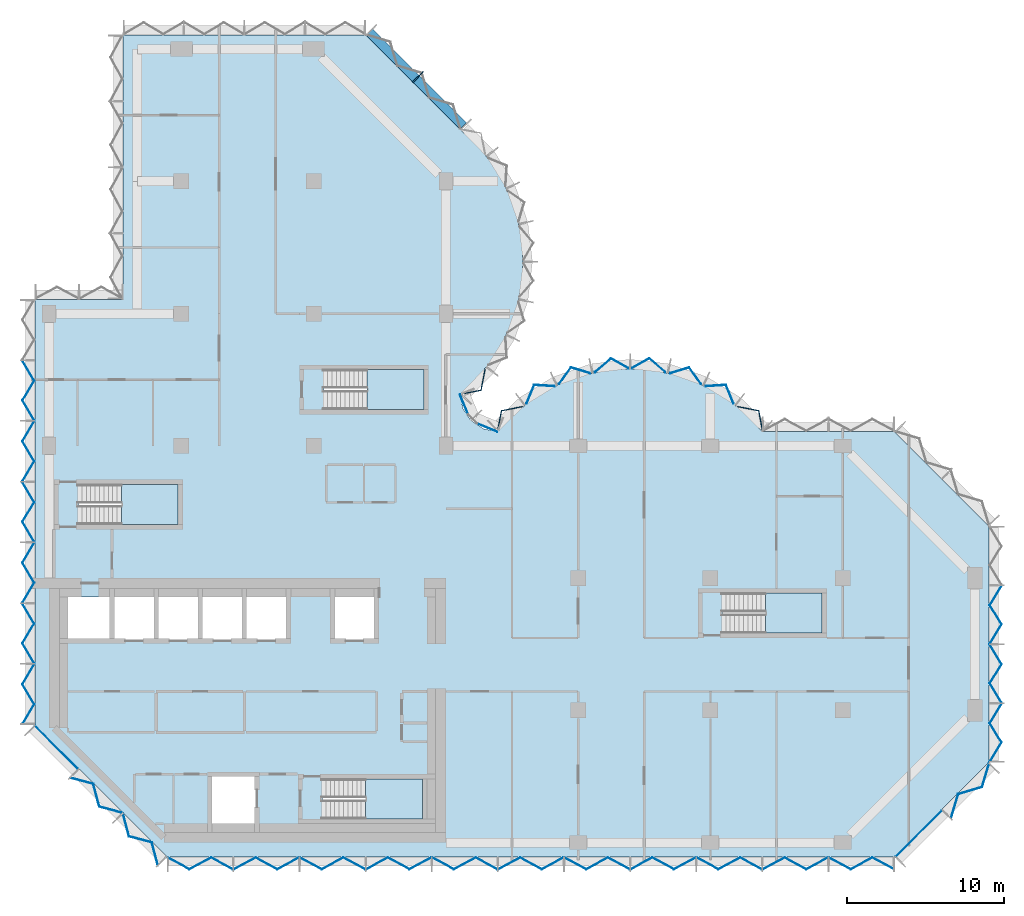
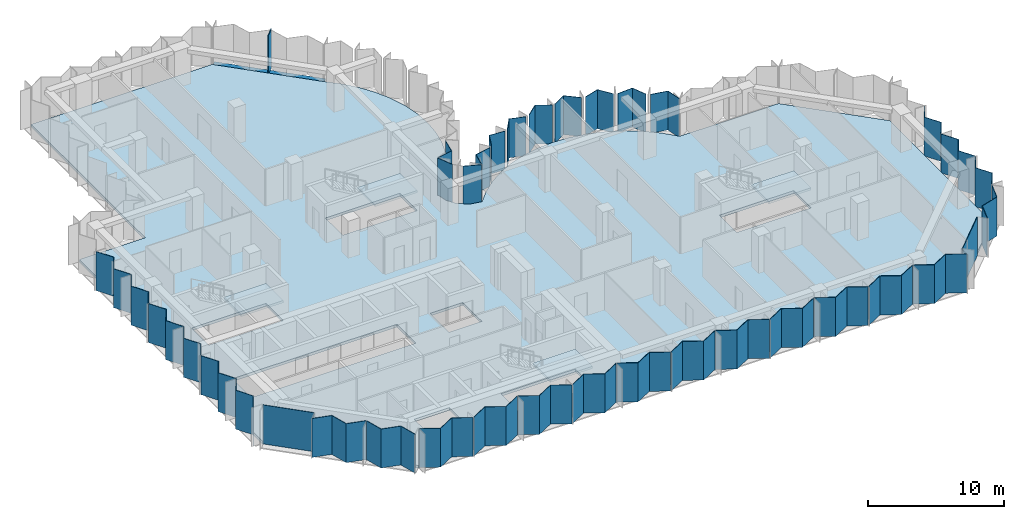
# One storey, part 3 of 10: 36 plates, 5 slabs, 2 members, 13 elements without a shape of their own.
"""IFC4 building model written with IfcOpenShell, lengths in metres."""

from ifc_helpers import new_model, si_unit, direction, frame, origin, origin_2d, place, context, subcontext, project, spatial, polyline, rectangle, outline, extrude, material, layer, layer_set, material_profile, profile_set, type_object, element, aggregate, save


model = new_model("IFC4")

# Units and contexts
model_context = context("Model", 3, precision=1e-05, world=origin(), true_north=direction((0.0, 1.0)))
body_context = subcontext(model_context, "Body", "Model", "MODEL_VIEW")
ifc_project = project(units=[si_unit("LENGTHUNIT", "METRE"), si_unit("AREAUNIT", "SQUARE_METRE"), si_unit("VOLUMEUNIT", "CUBIC_METRE"), si_unit("PLANEANGLEUNIT", "RADIAN"), si_unit("MASSUNIT", "GRAM", prefix="KILO")], contexts=[model_context])

# Site, building, storey
site_placement = place(None, origin())
site = spatial("IfcSite", under=ifc_project, at=site_placement, CompositionType="ELEMENT")
building_placement = place(site_placement, origin())
building = spatial("IfcBuilding", under=site, at=building_placement, Name="Brevane Broadcast Tower", CompositionType="ELEMENT")
storey_placement = place(building_placement, frame((0.0, 0.0, 174.0)))
storey = spatial("IfcBuildingStorey", under=building, at=storey_placement, Name="L43", CompositionType="ELEMENT", Elevation=174.0)

# Curtain wall, members
ifc_material_1 = material(Name="Aluminium 6063-T6 bronze anodised", Category="aluminium")
curtain_wall_type = type_object("IfcCurtainWallType", Name="CW-1 curtain wall", PredefinedType="NOTDEFINED", material=ifc_material_1)
curtain_wall_1_placement = place(storey_placement, origin())
curtain_wall_1 = element("IfcCurtainWall", 1, at=curtain_wall_1_placement, inside=storey, type_object=curtain_wall_type, Name="CW-1 typical tilted unit L43 north arm north-east chamfer", PredefinedType="NOTDEFINED")
ifc_material_profile_1 = material_profile(ifc_material_1, rectangle(XDim=0.949951171875, YDim=0.070068359375, at=origin_2d()), Name="RECT 70x950")
ifc_profile_set_1 = profile_set([ifc_material_profile_1], Name="Aluminium 6063-T6 bronze anodised")
member_type_1 = type_object("IfcMemberType", Name="CW-1 mullion 70x950", PredefinedType="MULLION", material=ifc_profile_set_1)
member_1_placement = place(storey_placement, frame((23.435791015625, 48.635986328125, -0.14990234375), z_axis=(0.0, 0.0, 1.0), x_axis=(-0.707106781187, -0.707106781187, 0.0)))
member_1 = element("IfcMember", 2, at=member_1_placement, type_object=member_type_1, Name="CW-1 mullion", PredefinedType="MULLION", context=body_context, shape_type="SweptSolid", body=[
    extrude(rectangle(XDim=0.949951171875, YDim=0.070068359375, at=origin_2d()), origin(), (0.0, 0.0, 1.0), 3.5),
])
ifc_material_profile_2 = material_profile(ifc_material_1, rectangle(XDim=0.60009765625, YDim=0.10009765625, at=origin_2d()), Name="RECT 100x600")
ifc_profile_set_2 = profile_set([ifc_material_profile_2], Name="Aluminium 6063-T6 bronze anodised")
member_type_2 = type_object("IfcMemberType", Name="CW-1 transom 100x600", PredefinedType="USERDEFINED", material=ifc_profile_set_2)
member_2_placement = place(storey_placement, frame((26.31201171875, 45.51220703125, -0.199951171875), z_axis=(-0.707106781187, 0.707106781187, 0.0), x_axis=(-0.707106781187, -0.707106781187, 0.0)))
member_2 = element("IfcMember", 3, at=member_2_placement, type_object=member_type_2, Name="CW-1 transom", ObjectType="TRANSOM", PredefinedType="USERDEFINED", context=body_context, shape_type="SweptSolid", body=[
    extrude(rectangle(XDim=0.60009765625, YDim=0.10009765625, at=origin_2d()), origin(), (0.0, 0.0, 1.0), 8.4853515625),
])
aggregate(curtain_wall_1, [member_1, member_2])

# Curtain wall, plates
curtain_wall_2_placement = place(storey_placement, origin())
curtain_wall_2 = element("IfcCurtainWall", 4, at=curtain_wall_2_placement, inside=storey, type_object=curtain_wall_type, Name="CW-1 typical tilted unit L43 south face", PredefinedType="NOTDEFINED")
ifc_material_2 = material(Name="Laminated glass bronze-tinted", Category="glass")
ifc_layer_1 = layer(ifc_material_2, 0.0400390625)
ifc_layer_set_1 = layer_set([ifc_layer_1], Name="CW tall glass panel 40")
plate_type = type_object("IfcPlateType", Name="CW tall glass panel 40", PredefinedType="CURTAIN_PANEL", material=ifc_layer_set_1)
plate_1_placement = place(storey_placement, frame((0.0, 0.0, -0.14990234375)))
plate_1 = element("IfcPlate", 5, at=plate_1_placement, type_object=plate_type, Name="CW-1 glass panel", PredefinedType="CURTAIN_PANEL", context=body_context, shape_type="SweptSolid", body=[
    extrude(outline(polyline([(7.534912109375, -0.92724609375), (7.534912109375, -0.97265625), (8.91162109375, -1.717041015625), (10.288330078125, -0.97265625), (11.6650390625, -1.717041015625), (11.6650390625, -1.671630859375), (10.288330078125, -0.92724609375), (8.91162109375, -1.671630859375), (7.534912109375, -0.92724609375)])), origin(), (0.0, 0.0, 1.0), 3.5),
])
plate_2_placement = place(storey_placement, frame((0.0, 0.0, -0.14990234375)))
plate_2 = element("IfcPlate", 6, at=plate_2_placement, type_object=plate_type, Name="CW-1 glass panel", PredefinedType="CURTAIN_PANEL", context=body_context, shape_type="SweptSolid", body=[
    extrude(outline(polyline([(11.735107421875, -1.671630859375), (11.735107421875, -1.717041015625), (13.11181640625, -0.97265625), (14.48828125, -1.717041015625), (15.864990234375, -0.97265625), (15.864990234375, -0.92724609375), (14.48828125, -1.671630859375), (13.11181640625, -0.92724609375), (11.735107421875, -1.671630859375)])), origin(), (0.0, 0.0, 1.0), 3.5),
])
plate_3_placement = place(storey_placement, frame((0.0, 0.0, -0.14990234375)))
plate_3 = element("IfcPlate", 7, at=plate_3_placement, type_object=plate_type, Name="CW-1 glass panel", PredefinedType="CURTAIN_PANEL", context=body_context, shape_type="SweptSolid", body=[
    extrude(outline(polyline([(15.93505859375, -0.92724609375), (15.93505859375, -0.97265625), (17.311767578125, -1.717041015625), (18.688232421875, -0.97265625), (20.06494140625, -1.717041015625), (20.06494140625, -1.671630859375), (18.688232421875, -0.92724609375), (17.311767578125, -1.671630859375), (15.93505859375, -0.92724609375)])), origin(), (0.0, 0.0, 1.0), 3.5),
])
plate_4_placement = place(storey_placement, frame((0.0, 0.0, -0.14990234375)))
plate_4 = element("IfcPlate", 8, at=plate_4_placement, type_object=plate_type, Name="CW-1 glass panel", PredefinedType="CURTAIN_PANEL", context=body_context, shape_type="SweptSolid", body=[
    extrude(outline(polyline([(20.135009765625, -1.671630859375), (20.135009765625, -1.717041015625), (21.51171875, -0.97265625), (22.88818359375, -1.717041015625), (24.264892578125, -0.97265625), (24.264892578125, -0.92724609375), (22.88818359375, -1.671630859375), (21.51171875, -0.92724609375), (20.135009765625, -1.671630859375)])), origin(), (0.0, 0.0, 1.0), 3.5),
])
plate_5_placement = place(storey_placement, frame((0.0, 0.0, -0.14990234375)))
plate_5 = element("IfcPlate", 9, at=plate_5_placement, type_object=plate_type, Name="CW-1 glass panel", PredefinedType="CURTAIN_PANEL", context=body_context, shape_type="SweptSolid", body=[
    extrude(outline(polyline([(24.3349609375, -0.92724609375), (24.3349609375, -0.97265625), (25.711669921875, -1.717041015625), (27.08837890625, -0.97265625), (28.465087890625, -1.717041015625), (28.465087890625, -1.671630859375), (27.08837890625, -0.92724609375), (25.711669921875, -1.671630859375), (24.3349609375, -0.92724609375)])), origin(), (0.0, 0.0, 1.0), 3.5),
])
plate_6_placement = place(storey_placement, frame((0.0, 0.0, -0.14990234375)))
plate_6 = element("IfcPlate", 10, at=plate_6_placement, type_object=plate_type, Name="CW-1 glass panel", PredefinedType="CURTAIN_PANEL", context=body_context, shape_type="SweptSolid", body=[
    extrude(outline(polyline([(28.534912109375, -1.671630859375), (28.534912109375, -1.717041015625), (29.91162109375, -0.97265625), (31.288330078125, -1.717041015625), (32.6650390625, -0.97265625), (32.6650390625, -0.92724609375), (31.288330078125, -1.671630859375), (29.91162109375, -0.92724609375), (28.534912109375, -1.671630859375)])), origin(), (0.0, 0.0, 1.0), 3.5),
])
plate_7_placement = place(storey_placement, frame((0.0, 0.0, -0.14990234375)))
plate_7 = element("IfcPlate", 11, at=plate_7_placement, type_object=plate_type, Name="CW-1 glass panel", PredefinedType="CURTAIN_PANEL", context=body_context, shape_type="SweptSolid", body=[
    extrude(outline(polyline([(32.735107421875, -0.92724609375), (32.735107421875, -0.97265625), (34.11181640625, -1.717041015625), (35.48828125, -0.97265625), (36.864990234375, -1.717041015625), (36.864990234375, -1.671630859375), (35.48828125, -0.92724609375), (34.11181640625, -1.671630859375), (32.735107421875, -0.92724609375)])), origin(), (0.0, 0.0, 1.0), 3.5),
])
plate_8_placement = place(storey_placement, frame((0.0, 0.0, -0.14990234375)))
plate_8 = element("IfcPlate", 12, at=plate_8_placement, type_object=plate_type, Name="CW-1 glass panel", PredefinedType="CURTAIN_PANEL", context=body_context, shape_type="SweptSolid", body=[
    extrude(outline(polyline([(36.93505859375, -1.671630859375), (36.93505859375, -1.717041015625), (38.311767578125, -0.97265625), (39.688232421875, -1.717041015625), (41.06494140625, -0.97265625), (41.06494140625, -0.92724609375), (39.688232421875, -1.671630859375), (38.311767578125, -0.92724609375), (36.93505859375, -1.671630859375)])), origin(), (0.0, 0.0, 1.0), 3.5),
])
plate_9_placement = place(storey_placement, frame((0.0, 0.0, -0.14990234375)))
plate_9 = element("IfcPlate", 13, at=plate_9_placement, type_object=plate_type, Name="CW-1 glass panel", PredefinedType="CURTAIN_PANEL", context=body_context, shape_type="SweptSolid", body=[
    extrude(outline(polyline([(41.135009765625, -0.92724609375), (41.135009765625, -0.97265625), (42.51171875, -1.717041015625), (43.88818359375, -0.97265625), (45.264892578125, -1.717041015625), (45.264892578125, -1.671630859375), (43.88818359375, -0.92724609375), (42.51171875, -1.671630859375), (41.135009765625, -0.92724609375)])), origin(), (0.0, 0.0, 1.0), 3.5),
])
plate_10_placement = place(storey_placement, frame((0.0, 0.0, -0.14990234375)))
plate_10 = element("IfcPlate", 14, at=plate_10_placement, type_object=plate_type, Name="CW-1 glass panel", PredefinedType="CURTAIN_PANEL", context=body_context, shape_type="SweptSolid", body=[
    extrude(outline(polyline([(45.3349609375, -1.671630859375), (45.3349609375, -1.717041015625), (46.711669921875, -0.97265625), (48.08837890625, -1.717041015625), (49.465087890625, -0.97265625), (49.465087890625, -0.92724609375), (48.08837890625, -1.671630859375), (46.711669921875, -0.92724609375), (45.3349609375, -1.671630859375)])), origin(), (0.0, 0.0, 1.0), 3.5),
])
plate_11_placement = place(storey_placement, frame((0.0, 0.0, -0.14990234375)))
plate_11 = element("IfcPlate", 15, at=plate_11_placement, type_object=plate_type, Name="CW-1 glass panel", PredefinedType="CURTAIN_PANEL", context=body_context, shape_type="SweptSolid", body=[
    extrude(outline(polyline([(49.534912109375, -0.92724609375), (49.534912109375, -0.97265625), (50.91162109375, -1.717041015625), (52.288330078125, -0.97265625), (53.6650390625, -1.717041015625), (53.6650390625, -1.671630859375), (52.288330078125, -0.92724609375), (50.91162109375, -1.671630859375), (49.534912109375, -0.92724609375)])), origin(), (0.0, 0.0, 1.0), 3.5),
])
aggregate(curtain_wall_2, [plate_1, plate_2, plate_3, plate_4, plate_5, plate_6, plate_7, plate_8, plate_9, plate_10, plate_11])

curtain_wall_3_placement = place(storey_placement, origin())
curtain_wall_3 = element("IfcCurtainWall", 16, at=curtain_wall_3_placement, inside=storey, type_object=curtain_wall_type, Name="CW-1 typical tilted unit L43 south-east chamfer", PredefinedType="NOTDEFINED")
plate_12_placement = place(storey_placement, frame((0.0, 0.0, -0.14990234375)))
plate_12 = element("IfcPlate", 17, at=plate_12_placement, type_object=plate_type, Name="CW-1 glass panel", PredefinedType="CURTAIN_PANEL", context=body_context, shape_type="SweptSolid", body=[
    extrude(outline(polyline([(53.74609375, -0.896484375), (56.696533203125, 2.053955078125), (56.724609375, 2.02587890625), (53.774169921875, -0.9248046875), (53.74609375, -0.896484375)])), origin(), (0.0, 0.0, 1.0), 3.5),
])
plate_13_placement = place(storey_placement, frame((0.0, 0.0, -0.14990234375)))
plate_13 = element("IfcPlate", 18, at=plate_13_placement, type_object=plate_type, Name="CW-1 glass panel", PredefinedType="CURTAIN_PANEL", context=body_context, shape_type="SweptSolid", body=[
    extrude(outline(polyline([(57.2705078125, 1.5791015625), (57.302490234375, 1.547119140625), (57.759521484375, 3.056884765625), (59.26953125, 3.513916015625), (59.7265625, 5.02392578125), (59.694580078125, 5.055908203125), (59.2373046875, 3.546142578125), (57.7275390625, 3.0888671875), (57.2705078125, 1.5791015625)])), origin(), (0.0, 0.0, 1.0), 3.5),
])
aggregate(curtain_wall_3, [plate_12, plate_13])

curtain_wall_4_placement = place(storey_placement, origin())
curtain_wall_4 = element("IfcCurtainWall", 19, at=curtain_wall_4_placement, inside=storey, type_object=curtain_wall_type, Name="CW-1 typical tilted unit L43 east end", PredefinedType="NOTDEFINED")
plate_14_placement = place(storey_placement, frame((0.0, 0.0, -0.14990234375)))
plate_14 = element("IfcPlate", 20, at=plate_14_placement, type_object=plate_type, Name="CW-1 glass panel", PredefinedType="CURTAIN_PANEL", context=body_context, shape_type="SweptSolid", body=[
    extrude(outline(polyline([(59.7265625, 5.135009765625), (59.7734375, 5.135009765625), (60.517822265625, 6.36181640625), (59.7734375, 7.58837890625), (60.517822265625, 8.81494140625), (60.470947265625, 8.81494140625), (59.7265625, 7.58837890625), (60.470947265625, 6.36181640625), (59.7265625, 5.135009765625)])), origin(), (0.0, 0.0, 1.0), 3.5),
])
plate_15_placement = place(storey_placement, frame((0.0, 0.0, -0.14990234375)))
plate_15 = element("IfcPlate", 21, at=plate_15_placement, type_object=plate_type, Name="CW-1 glass panel", PredefinedType="CURTAIN_PANEL", context=body_context, shape_type="SweptSolid", body=[
    extrude(outline(polyline([(60.470947265625, 8.885009765625), (60.517822265625, 8.885009765625), (59.7734375, 10.11181640625), (60.517822265625, 11.33837890625), (59.7734375, 12.56494140625), (59.7265625, 12.56494140625), (60.470947265625, 11.33837890625), (59.7265625, 10.11181640625), (60.470947265625, 8.885009765625)])), origin(), (0.0, 0.0, 1.0), 3.5),
])
plate_16_placement = place(storey_placement, frame((0.0, 0.0, -0.14990234375)))
plate_16 = element("IfcPlate", 22, at=plate_16_placement, type_object=plate_type, Name="CW-1 glass panel", PredefinedType="CURTAIN_PANEL", context=body_context, shape_type="SweptSolid", body=[
    extrude(outline(polyline([(59.7265625, 12.635009765625), (59.7734375, 12.635009765625), (60.517822265625, 13.86181640625), (59.7734375, 15.08837890625), (60.517822265625, 16.31494140625), (60.470947265625, 16.31494140625), (59.7265625, 15.08837890625), (60.470947265625, 13.86181640625), (59.7265625, 12.635009765625)])), origin(), (0.0, 0.0, 1.0), 3.5),
])
aggregate(curtain_wall_4, [plate_14, plate_15, plate_16])

curtain_wall_5_placement = place(storey_placement, origin())
curtain_wall_5 = element("IfcCurtainWall", 23, at=curtain_wall_5_placement, inside=storey, type_object=curtain_wall_type, Name="CW-1 typical tilted unit L43 east bow", PredefinedType="NOTDEFINED")
plate_17_placement = place(storey_placement, frame((0.0, 0.0, -0.14990234375)))
plate_17 = element("IfcPlate", 24, at=plate_17_placement, type_object=plate_type, Name="CW-1 glass panel", PredefinedType="CURTAIN_PANEL", context=body_context, shape_type="SweptSolid", body=[
    extrude(outline(polyline([(45.2939453125, 26.14404296875), (45.327880859375, 26.17919921875), (45.086181640625, 27.447265625), (43.738525390625, 27.71142578125), (43.7109375, 27.67626953125), (45.052001953125, 27.4130859375), (45.2939453125, 26.14404296875)])), origin(), (0.0, 0.0, 1.0), 3.5),
])
plate_18_placement = place(storey_placement, frame((0.0, 0.0, -0.14990234375)))
plate_18 = element("IfcPlate", 25, at=plate_18_placement, type_object=plate_type, Name="CW-1 glass panel", PredefinedType="CURTAIN_PANEL", context=body_context, shape_type="SweptSolid", body=[
    extrude(outline(polyline([(43.45703125, 27.8759765625), (43.4853515625, 27.912109375), (43.00390625, 29.089111328125), (41.710693359375, 29.006591796875), (41.69091796875, 28.96533203125), (42.977783203125, 29.04736328125), (43.45703125, 27.8759765625)])), origin(), (0.0, 0.0, 1.0), 3.5),
])
plate_19_placement = place(storey_placement, frame((0.0, 0.0, -0.14990234375)))
plate_19 = element("IfcPlate", 26, at=plate_19_placement, type_object=plate_type, Name="CW-1 glass panel", PredefinedType="CURTAIN_PANEL", context=body_context, shape_type="SweptSolid", body=[
    extrude(outline(polyline([(41.3994140625, 29.104248046875), (41.4189453125, 29.1455078125), (40.667724609375, 30.20166015625), (39.45068359375, 29.83349609375), (39.440185546875, 29.78857421875), (40.65185546875, 30.155029296875), (41.3994140625, 29.104248046875)])), origin(), (0.0, 0.0, 1.0), 3.5),
])
plate_20_placement = place(storey_placement, frame((0.0, 0.0, -0.14990234375)))
plate_20 = element("IfcPlate", 27, at=plate_20_placement, type_object=plate_type, Name="CW-1 glass panel", PredefinedType="CURTAIN_PANEL", context=body_context, shape_type="SweptSolid", body=[
    extrude(outline(polyline([(39.125, 29.859619140625), (39.13525390625, 29.903564453125), (38.116943359375, 30.779296875), (37.008056640625, 30.15869140625), (37.008056640625, 30.11279296875), (38.112060546875, 30.730712890625), (39.125, 29.859619140625)])), origin(), (0.0, 0.0, 1.0), 3.5),
])
plate_21_placement = place(storey_placement, frame((0.0, 0.0, -0.14990234375)))
plate_21 = element("IfcPlate", 28, at=plate_21_placement, type_object=plate_type, Name="CW-1 glass panel", PredefinedType="CURTAIN_PANEL", context=body_context, shape_type="SweptSolid", body=[
    extrude(outline(polyline([(36.7919921875, 30.11279296875), (36.7919921875, 30.15869140625), (35.68310546875, 30.779296875), (34.664794921875, 29.903564453125), (34.6748046875, 29.859619140625), (35.68798828125, 30.730712890625), (36.7919921875, 30.11279296875)])), origin(), (0.0, 0.0, 1.0), 3.5),
])
plate_22_placement = place(storey_placement, frame((0.0, 0.0, -0.14990234375)))
plate_22 = element("IfcPlate", 29, at=plate_22_placement, type_object=plate_type, Name="CW-1 glass panel", PredefinedType="CURTAIN_PANEL", context=body_context, shape_type="SweptSolid", body=[
    extrude(outline(polyline([(34.359619140625, 29.78857421875), (34.349365234375, 29.83349609375), (33.132080078125, 30.20166015625), (32.381103515625, 29.1455078125), (32.400634765625, 29.104248046875), (33.148193359375, 30.155029296875), (34.359619140625, 29.78857421875)])), origin(), (0.0, 0.0, 1.0), 3.5),
])
plate_23_placement = place(storey_placement, frame((0.0, 0.0, -0.14990234375)))
plate_23 = element("IfcPlate", 30, at=plate_23_placement, type_object=plate_type, Name="CW-1 glass panel", PredefinedType="CURTAIN_PANEL", context=body_context, shape_type="SweptSolid", body=[
    extrude(outline(polyline([(32.10888671875, 28.96533203125), (32.08935546875, 29.006591796875), (30.7958984375, 29.089111328125), (30.314697265625, 27.912109375), (30.343017578125, 27.8759765625), (30.822265625, 29.04736328125), (32.10888671875, 28.96533203125)])), origin(), (0.0, 0.0, 1.0), 3.5),
])
plate_24_placement = place(storey_placement, frame((0.0, 0.0, -0.14990234375)))
plate_24 = element("IfcPlate", 31, at=plate_24_placement, type_object=plate_type, Name="CW-1 glass panel", PredefinedType="CURTAIN_PANEL", context=body_context, shape_type="SweptSolid", body=[
    extrude(outline(polyline([(30.089111328125, 27.67626953125), (30.0615234375, 27.71142578125), (28.7138671875, 27.447265625), (28.471923828125, 26.17919921875), (28.506103515625, 26.14404296875), (28.748046875, 27.4130859375), (30.089111328125, 27.67626953125)])), origin(), (0.0, 0.0, 1.0), 3.5),
])
aggregate(curtain_wall_5, [plate_17, plate_18, plate_19, plate_20, plate_21, plate_22, plate_23, plate_24])

curtain_wall_6_placement = place(storey_placement, origin())
curtain_wall_6 = element("IfcCurtainWall", 32, at=curtain_wall_6_placement, inside=storey, type_object=curtain_wall_type, Name="CW-1 typical tilted unit L43 inner corner", PredefinedType="NOTDEFINED")
plate_25_placement = place(storey_placement, frame((0.0, 0.0, -0.14990234375)))
plate_25 = element("IfcPlate", 33, at=plate_25_placement, type_object=plate_type, Name="CW-1 glass panel", PredefinedType="CURTAIN_PANEL", context=body_context, shape_type="SweptSolid", body=[
    extrude(outline(polyline([(28.45166015625, 26.07470703125), (28.466796875, 26.111572265625), (27.2021484375, 26.635498046875), (27.17138671875, 26.60498046875), (28.45166015625, 26.07470703125)])), origin(), (0.0, 0.0, 1.0), 3.5),
])
plate_26_placement = place(storey_placement, frame((0.0, 0.0, -0.14990234375)))
plate_26 = element("IfcPlate", 34, at=plate_26_placement, type_object=plate_type, Name="CW-1 glass panel", PredefinedType="CURTAIN_PANEL", context=body_context, shape_type="SweptSolid", body=[
    extrude(outline(polyline([(26.60498046875, 27.17138671875), (26.635498046875, 27.2021484375), (26.111572265625, 28.466796875), (26.07470703125, 28.45166015625), (26.60498046875, 27.17138671875)])), origin(), (0.0, 0.0, 1.0), 3.5),
])
aggregate(curtain_wall_6, [plate_25, plate_26])

# Curtain wall, plate
curtain_wall_7_placement = place(storey_placement, origin())
curtain_wall_7 = element("IfcCurtainWall", 35, at=curtain_wall_7_placement, inside=storey, type_object=curtain_wall_type, Name="CW-1 typical tilted unit L43 north bow", PredefinedType="NOTDEFINED")
plate_27_placement = place(storey_placement, frame((0.0, 0.0, -0.14990234375)))
plate_27 = element("IfcPlate", 36, at=plate_27_placement, type_object=plate_type, Name="CW-1 glass panel", PredefinedType="CURTAIN_PANEL", context=body_context, shape_type="SweptSolid", body=[
    extrude(outline(polyline([(26.14404296875, 28.506103515625), (26.17919921875, 28.471923828125), (27.447265625, 28.7138671875), (27.71142578125, 30.0615234375), (27.67626953125, 30.089111328125), (27.4130859375, 28.748046875), (26.14404296875, 28.506103515625)])), origin(), (0.0, 0.0, 1.0), 3.5),
])
aggregate(curtain_wall_7, [plate_27])

# Curtain wall, plates
curtain_wall_8_placement = place(storey_placement, origin())
curtain_wall_8 = element("IfcCurtainWall", 37, at=curtain_wall_8_placement, inside=storey, type_object=curtain_wall_type, Name="CW-1 typical tilted unit L43 west face", PredefinedType="NOTDEFINED")
plate_28_placement = place(storey_placement, frame((0.0, 0.0, -0.14990234375)))
plate_28 = element("IfcPlate", 38, at=plate_28_placement, type_object=plate_type, Name="CW-1 glass panel", PredefinedType="CURTAIN_PANEL", context=body_context, shape_type="SweptSolid", body=[
    extrude(outline(polyline([(-1.671142578125, 30.60791015625), (-1.717529296875, 30.60791015625), (-0.97314453125, 29.345458984375), (-1.717529296875, 28.0830078125), (-0.97314453125, 26.82080078125), (-0.9267578125, 26.82080078125), (-1.671142578125, 28.0830078125), (-0.9267578125, 29.345458984375), (-1.671142578125, 30.60791015625)])), origin(), (0.0, 0.0, 1.0), 3.5),
])
plate_29_placement = place(storey_placement, frame((0.0, 0.0, -0.14990234375)))
plate_29 = element("IfcPlate", 39, at=plate_29_placement, type_object=plate_type, Name="CW-1 glass panel", PredefinedType="CURTAIN_PANEL", context=body_context, shape_type="SweptSolid", body=[
    extrude(outline(polyline([(-0.9267578125, 26.750732421875), (-0.97314453125, 26.750732421875), (-1.717529296875, 25.48828125), (-0.97314453125, 24.22607421875), (-1.717529296875, 22.963623046875), (-1.671142578125, 22.963623046875), (-0.9267578125, 24.22607421875), (-1.671142578125, 25.48828125), (-0.9267578125, 26.750732421875)])), origin(), (0.0, 0.0, 1.0), 3.5),
])
plate_30_placement = place(storey_placement, frame((0.0, 0.0, -0.14990234375)))
plate_30 = element("IfcPlate", 40, at=plate_30_placement, type_object=plate_type, Name="CW-1 glass panel", PredefinedType="CURTAIN_PANEL", context=body_context, shape_type="SweptSolid", body=[
    extrude(outline(polyline([(-1.671142578125, 22.8935546875), (-1.717529296875, 22.8935546875), (-0.97314453125, 21.631103515625), (-1.717529296875, 20.368896484375), (-0.97314453125, 19.1064453125), (-0.9267578125, 19.1064453125), (-1.671142578125, 20.368896484375), (-0.9267578125, 21.631103515625), (-1.671142578125, 22.8935546875)])), origin(), (0.0, 0.0, 1.0), 3.5),
])
plate_31_placement = place(storey_placement, frame((0.0, 0.0, -0.14990234375)))
plate_31 = element("IfcPlate", 41, at=plate_31_placement, type_object=plate_type, Name="CW-1 glass panel", PredefinedType="CURTAIN_PANEL", context=body_context, shape_type="SweptSolid", body=[
    extrude(outline(polyline([(-0.9267578125, 19.036376953125), (-0.97314453125, 19.036376953125), (-1.717529296875, 17.77392578125), (-0.97314453125, 16.51171875), (-1.717529296875, 15.249267578125), (-1.671142578125, 15.249267578125), (-0.9267578125, 16.51171875), (-1.671142578125, 17.77392578125), (-0.9267578125, 19.036376953125)])), origin(), (0.0, 0.0, 1.0), 3.5),
])
plate_32_placement = place(storey_placement, frame((0.0, 0.0, -0.14990234375)))
plate_32 = element("IfcPlate", 42, at=plate_32_placement, type_object=plate_type, Name="CW-1 glass panel", PredefinedType="CURTAIN_PANEL", context=body_context, shape_type="SweptSolid", body=[
    extrude(outline(polyline([(-1.671142578125, 15.17919921875), (-1.717529296875, 15.17919921875), (-0.97314453125, 13.9169921875), (-1.717529296875, 12.654541015625), (-0.97314453125, 11.39208984375), (-0.9267578125, 11.39208984375), (-1.671142578125, 12.654541015625), (-0.9267578125, 13.9169921875), (-1.671142578125, 15.17919921875)])), origin(), (0.0, 0.0, 1.0), 3.5),
])
plate_33_placement = place(storey_placement, frame((0.0, 0.0, -0.14990234375)))
plate_33 = element("IfcPlate", 43, at=plate_33_placement, type_object=plate_type, Name="CW-1 glass panel", PredefinedType="CURTAIN_PANEL", context=body_context, shape_type="SweptSolid", body=[
    extrude(outline(polyline([(-0.9267578125, 11.322021484375), (-0.97314453125, 11.322021484375), (-1.717529296875, 10.059814453125), (-0.97314453125, 8.79736328125), (-1.717529296875, 7.534912109375), (-1.671142578125, 7.534912109375), (-0.9267578125, 8.79736328125), (-1.671142578125, 10.059814453125), (-0.9267578125, 11.322021484375)])), origin(), (0.0, 0.0, 1.0), 3.5),
])
aggregate(curtain_wall_8, [plate_28, plate_29, plate_30, plate_31, plate_32, plate_33])

curtain_wall_9_placement = place(storey_placement, origin())
curtain_wall_9 = element("IfcCurtainWall", 44, at=curtain_wall_9_placement, inside=storey, type_object=curtain_wall_type, Name="CW-1 typical tilted unit L43 south-west chamfer", PredefinedType="NOTDEFINED")
plate_34_placement = place(storey_placement, frame((0.0, 0.0, -0.14990234375)))
plate_34 = element("IfcPlate", 45, at=plate_34_placement, type_object=plate_type, Name="CW-1 glass panel", PredefinedType="CURTAIN_PANEL", context=body_context, shape_type="SweptSolid", body=[
    extrude(outline(polyline([(-0.896484375, 7.4541015625), (1.85400390625, 4.70361328125), (1.82568359375, 4.67529296875), (-0.9248046875, 7.42578125), (-0.896484375, 7.4541015625)])), origin(), (0.0, 0.0, 1.0), 3.5),
])
plate_35_placement = place(storey_placement, frame((0.0, 0.0, -0.14990234375)))
plate_35 = element("IfcPlate", 46, at=plate_35_placement, type_object=plate_type, Name="CW-1 glass panel", PredefinedType="CURTAIN_PANEL", context=body_context, shape_type="SweptSolid", body=[
    extrude(outline(polyline([(1.37939453125, 4.1298828125), (1.3466796875, 4.09716796875), (2.789794921875, 3.706787109375), (3.180419921875, 2.263671875), (4.62353515625, 1.873046875), (4.65625, 1.90576171875), (3.212890625, 2.296142578125), (2.822509765625, 3.739501953125), (1.37939453125, 4.1298828125)])), origin(), (0.0, 0.0, 1.0), 3.5),
])
plate_36_placement = place(storey_placement, frame((0.0, 0.0, -0.14990234375)))
plate_36 = element("IfcPlate", 47, at=plate_36_placement, type_object=plate_type, Name="CW-1 glass panel", PredefinedType="CURTAIN_PANEL", context=body_context, shape_type="SweptSolid", body=[
    extrude(outline(polyline([(4.705810546875, 1.856201171875), (4.673095703125, 1.823486328125), (5.063720703125, 0.38037109375), (6.5068359375, -0.010009765625), (6.897216796875, -1.453369140625), (6.9296875, -1.420654296875), (6.539306640625, 0.0224609375), (5.09619140625, 0.4130859375), (4.705810546875, 1.856201171875)])), origin(), (0.0, 0.0, 1.0), 3.5),
])
aggregate(curtain_wall_9, [plate_34, plate_35, plate_36])

# Stair, slab
ifc_material_3 = material(Name="Concrete C50/60", Category="concrete")
stair_type = type_object("IfcStairType", Name="Exit stair 22 risers", PredefinedType="HALF_TURN_STAIR", material=ifc_material_3)
stair_1_placement = place(storey_placement, origin())
stair_1 = element("IfcStair", 48, at=stair_1_placement, inside=storey, type_object=stair_type, Name="L43 Exit stair ST-1", PredefinedType="HALF_TURN_STAIR")
ifc_layer_2 = layer(ifc_material_3, 0.199951171875)
ifc_layer_set_2 = layer_set([ifc_layer_2], Name="Exit stair landing")
slab_type_1 = type_object("IfcSlabType", Name="Exit stair landing", PredefinedType="LANDING", material=ifc_layer_set_2)
slab_1_placement = place(storey_placement, frame((0.0, 0.0, 1.60009765625)))
slab_1 = element("IfcSlab", 49, at=slab_1_placement, type_object=slab_type_1, Name="ST-1 landing 1", PredefinedType="LANDING", context=body_context, shape_type="SweptSolid", body=[
    extrude(outline(polyline([(4.60009765625, 20.199951171875), (8.199951171875, 20.199951171875), (8.199951171875, 22.75), (4.60009765625, 22.75), (4.60009765625, 20.199951171875)])), origin(), (0.0, 0.0, 1.0), 0.199951171875),
])
aggregate(stair_1, [slab_1])

stair_2_placement = place(storey_placement, origin())
stair_2 = element("IfcStair", 50, at=stair_2_placement, inside=storey, type_object=stair_type, Name="L43 Exit stair ST-2", PredefinedType="HALF_TURN_STAIR")
slab_2_placement = place(storey_placement, frame((0.0, 0.0, 1.60009765625)))
slab_2 = element("IfcSlab", 51, at=slab_2_placement, type_object=slab_type_1, Name="ST-2 landing 1", PredefinedType="LANDING", context=body_context, shape_type="SweptSolid", body=[
    extrude(outline(polyline([(20.10009765625, 1.5), (23.699951171875, 1.5), (23.699951171875, 4.050048828125), (20.10009765625, 4.050048828125), (20.10009765625, 1.5)])), origin(), (0.0, 0.0, 1.0), 0.199951171875),
])
aggregate(stair_2, [slab_2])

stair_3_placement = place(storey_placement, origin())
stair_3 = element("IfcStair", 52, at=stair_3_placement, inside=storey, type_object=stair_type, Name="L43 Exit stair ST-3", PredefinedType="HALF_TURN_STAIR")
slab_3_placement = place(storey_placement, frame((0.0, 0.0, 1.60009765625)))
slab_3 = element("IfcSlab", 53, at=slab_3_placement, type_object=slab_type_1, Name="ST-3 landing 1", PredefinedType="LANDING", context=body_context, shape_type="SweptSolid", body=[
    extrude(outline(polyline([(20.199951171875, 27.5), (23.800048828125, 27.5), (23.800048828125, 30.050048828125), (20.199951171875, 30.050048828125), (20.199951171875, 27.5)])), origin(), (0.0, 0.0, 1.0), 0.199951171875),
])
aggregate(stair_3, [slab_3])

stair_4_placement = place(storey_placement, origin())
stair_4 = element("IfcStair", 54, at=stair_4_placement, inside=storey, type_object=stair_type, Name="L43 Exit stair ST-4", PredefinedType="HALF_TURN_STAIR")
slab_4_placement = place(storey_placement, frame((0.0, 0.0, 1.60009765625)))
slab_4 = element("IfcSlab", 55, at=slab_4_placement, type_object=slab_type_1, Name="ST-4 landing 1", PredefinedType="LANDING", context=body_context, shape_type="SweptSolid", body=[
    extrude(outline(polyline([(45.5, 13.300048828125), (49.10009765625, 13.300048828125), (49.10009765625, 15.85009765625), (45.5, 15.85009765625), (45.5, 13.300048828125)])), origin(), (0.0, 0.0, 1.0), 0.199951171875),
])
aggregate(stair_4, [slab_4])

# Slab
ifc_material_4 = material(Name="Concrete C40/50", Category="concrete")
ifc_layer_3 = layer(ifc_material_4, 0.25)
ifc_layer_set_3 = layer_set([ifc_layer_3], Name="RC FLOOR SLAB 250 C40/50")
slab_type_2 = type_object("IfcSlabType", Name="RC FLOOR SLAB 250 C40/50", PredefinedType="FLOOR", material=ifc_layer_set_3)
slab_5_placement = place(storey_placement, frame((0.0, 0.0, -0.25)))
element("IfcSlab", 56, at=slab_5_placement, inside=storey, type_object=slab_type_2, Name="SL250 L43", PredefinedType="FLOOR", context=body_context, shape_type="SweptSolid", body=[
    extrude(outline(polyline([(-0.89990234375, 7.5), (-0.89990234375, 34.5), (4.699951171875, 34.5), (4.699951171875, 51.300048828125), (20.10009765625, 51.300048828125), (26.10009765625, 45.300048828125), (27.10888671875, 44.36865234375), (27.99169921875, 43.317138671875), (28.734130859375, 42.162353515625), (29.324462890625, 40.922607421875), (29.7529296875, 39.618408203125), (30.012939453125, 38.270263671875), (30.10009765625, 36.89990234375), (30.012939453125, 35.52978515625), (29.7529296875, 34.181640625), (29.324462890625, 32.877197265625), (28.734130859375, 31.6376953125), (27.99169921875, 30.48291015625), (27.10888671875, 29.431396484375), (26.10009765625, 28.5), (26.28271484375, 27.58154296875), (26.802978515625, 26.802978515625), (27.58154296875, 26.28271484375), (28.5, 26.10009765625), (29.431396484375, 27.10888671875), (30.48291015625, 27.99169921875), (31.6376953125, 28.734130859375), (32.877197265625, 29.324462890625), (34.181640625, 29.7529296875), (35.52978515625, 30.012939453125), (36.89990234375, 30.10009765625), (38.270263671875, 30.012939453125), (39.618408203125, 29.7529296875), (40.922607421875, 29.324462890625), (42.162353515625, 28.734130859375), (43.317138671875, 27.99169921875), (44.36865234375, 27.10888671875), (45.300048828125, 26.10009765625), (53.699951171875, 26.10009765625), (59.699951171875, 20.10009765625), (59.699951171875, 5.10009765625), (53.699951171875, -0.89990234375), (7.5, -0.89990234375), (-0.89990234375, 7.5)]), holes=[polyline([(13.199951171875, 4.39990234375), (10.199951171875, 4.39990234375), (10.199951171875, 1.199951171875), (13.199951171875, 1.199951171875), (13.199951171875, 4.39990234375)]), polyline([(4.0, 15.60009765625), (1.199951171875, 15.60009765625), (1.199951171875, 12.800048828125), (4.0, 12.800048828125), (6.800048828125, 12.800048828125), (9.60009765625, 12.800048828125), (12.39990234375, 12.800048828125), (15.199951171875, 12.800048828125), (15.199951171875, 15.60009765625), (12.39990234375, 15.60009765625), (9.60009765625, 15.60009765625), (6.800048828125, 15.60009765625), (4.0, 15.60009765625)]), polyline([(1.860107421875, 22.75), (1.860107421875, 20.199951171875), (8.199951171875, 20.199951171875), (8.199951171875, 22.75), (1.860107421875, 22.75)]), polyline([(23.699951171875, 4.050048828125), (17.360107421875, 4.050048828125), (17.360107421875, 1.5), (23.699951171875, 1.5), (23.699951171875, 4.050048828125)]), polyline([(20.800048828125, 15.60009765625), (18.0, 15.60009765625), (18.0, 12.800048828125), (20.800048828125, 12.800048828125), (20.800048828125, 15.60009765625)]), polyline([(49.10009765625, 15.85009765625), (42.760009765625, 15.85009765625), (42.760009765625, 13.300048828125), (49.10009765625, 13.300048828125), (49.10009765625, 15.85009765625)]), polyline([(23.800048828125, 30.050048828125), (17.4599609375, 30.050048828125), (17.4599609375, 27.5), (23.800048828125, 27.5), (23.800048828125, 30.050048828125)])]), origin(), (0.0, 0.0, 1.0), 0.25),
])

save(model, "model.ifc")
